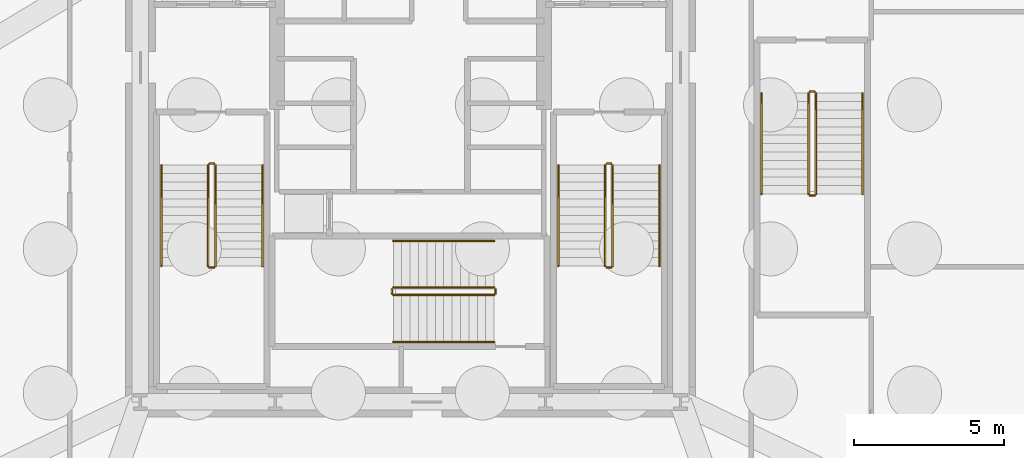
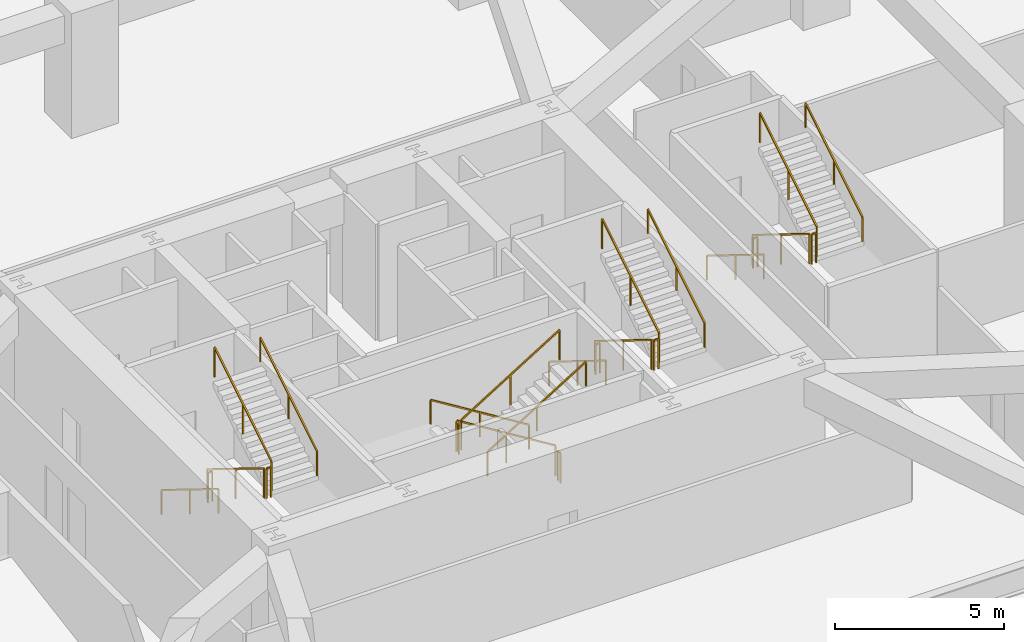
# One storey, part 7 of 8: 24 railings.
"""IFC4 building model written with IfcOpenShell, lengths in metres."""

from ifc_helpers import new_model, si_unit, direction, frame, origin, origin_2d, place, context, subcontext, project, spatial, rectangle, extrude, material, layer, layer_set, type_object, element, save


model = new_model("IFC4")

# Units and contexts
model_context = context("Model", 3, precision=1e-05, world=origin(), true_north=direction((0.0, 1.0)))
body_context = subcontext(model_context, "Body", "Model", "MODEL_VIEW")
ifc_project = project(units=[si_unit("LENGTHUNIT", "METRE"), si_unit("AREAUNIT", "SQUARE_METRE"), si_unit("VOLUMEUNIT", "CUBIC_METRE"), si_unit("PLANEANGLEUNIT", "RADIAN"), si_unit("MASSUNIT", "GRAM", prefix="KILO")], contexts=[model_context])

# Site, building, storey
site_placement = place(None, origin())
site = spatial("IfcSite", under=ifc_project, at=site_placement, CompositionType="ELEMENT")
building_placement = place(site_placement, origin())
building = spatial("IfcBuilding", under=site, at=building_placement, Name="Kilnhurst Terrace Hotel", CompositionType="ELEMENT")
storey_placement = place(building_placement, frame((0.0, 0.0, -9.0)))
storey = spatial("IfcBuildingStorey", under=building, at=storey_placement, Name="B2", CompositionType="ELEMENT", Elevation=-9.0)

# Railings
ifc_material_1 = material(Name="Powder-Coated Steel ASTM A500 Grade B", Category="steel")
ifc_layer_1 = layer(ifc_material_1, 0.050048828125, Name="Powder-Coated Steel ASTM A500 Grade B")
ifc_layer_set_1 = layer_set([ifc_layer_1], Name="Powder-Coated Steel ASTM A500 Grade B")
railing_type_1 = type_object("IfcRailingType", Name="RLG-ST-GRD-1100", PredefinedType="GUARDRAIL", material=ifc_layer_set_1)
railing_1_placement = place(storey_placement, frame((-6.739990234375, 0.389892578125, 0.173095703125)))
element("IfcRailing", 1, at=railing_1_placement, inside=storey, type_object=railing_type_1, Name="B2 ST-1 stair guard 1", PredefinedType="GUARDRAIL", context=body_context, shape_type="SweptSolid", body=[
    extrude(rectangle(XDim=0.048095703125, YDim=0.048095703125, at=origin_2d()), frame((0.0, 0.0, 1.076171875), z_axis=(0.0, -0.850606129759, 0.525803396734), x_axis=(1.0, 0.0, 0.0)), (0.0, 0.0, 1.0), 3.949951171875),
    extrude(rectangle(XDim=0.0419921875, YDim=0.0419921875, at=origin_2d()), origin(), (0.0, 0.0, 1.0), 1.052001953125),
    extrude(rectangle(XDim=0.0419921875, YDim=0.0419921875, at=origin_2d()), frame((0.0, -1.679931640625, 1.03857421875)), (0.0, 0.0, 1.0), 1.052001953125),
    extrude(rectangle(XDim=0.0419921875, YDim=0.0419921875, at=origin_2d()), frame((0.0, -3.35986328125, 2.076904296875)), (0.0, 0.0, 1.0), 1.052001953125),
])
railing_2_placement = place(storey_placement, frame((-6.68994140625, -3.02001953125, 2.25)))
element("IfcRailing", 2, at=railing_2_placement, inside=storey, type_object=railing_type_1, Name="B2 ST-1 stair guard 2", PredefinedType="GUARDRAIL", context=body_context, shape_type="SweptSolid", body=[
    extrude(rectangle(XDim=0.048095703125, YDim=0.048095703125, at=origin_2d()), frame((0.0, 0.0, 1.076171875), z_axis=(1.0, 0.0, 0.0), x_axis=(0.0, 1.0, 0.0)), (0.0, 0.0, 1.0), 0.14990234375),
    extrude(rectangle(XDim=0.0419921875, YDim=0.0419921875, at=origin_2d()), origin(), (0.0, 0.0, 1.0), 1.052001953125),
    extrude(rectangle(XDim=0.0419921875, YDim=0.0419921875, at=origin_2d()), frame((0.14990234375, 0.0, 0.0)), (0.0, 0.0, 1.0), 1.052001953125),
])
railing_3_placement = place(storey_placement, frame((-6.489990234375, -2.969970703125, 2.423095703125)))
element("IfcRailing", 3, at=railing_3_placement, inside=storey, type_object=railing_type_1, Name="B2 ST-1 stair guard 3", PredefinedType="GUARDRAIL", context=body_context, shape_type="SweptSolid", body=[
    extrude(rectangle(XDim=0.048095703125, YDim=0.048095703125, at=origin_2d()), frame((0.0, 0.0, 1.076171875), z_axis=(0.0, 0.850606129759, 0.525803396734), x_axis=(-1.0, 0.0, 0.0)), (0.0, 0.0, 1.0), 3.949951171875),
    extrude(rectangle(XDim=0.0419921875, YDim=0.0419921875, at=origin_2d()), origin(), (0.0, 0.0, 1.0), 1.052001953125),
    extrude(rectangle(XDim=0.0419921875, YDim=0.0419921875, at=origin_2d()), frame((0.0, 1.679931640625, 1.03857421875)), (0.0, 0.0, 1.0), 1.052001953125),
    extrude(rectangle(XDim=0.0419921875, YDim=0.0419921875, at=origin_2d()), frame((0.0, 3.35986328125, 2.076904296875)), (0.0, 0.0, 1.0), 1.052001953125),
])
railing_4_placement = place(storey_placement, frame((-6.68994140625, 0.43994140625, 0.0)))
element("IfcRailing", 4, at=railing_4_placement, inside=storey, type_object=railing_type_1, Name="B2 ST-1 stair guard 4", PredefinedType="GUARDRAIL", context=body_context, shape_type="SweptSolid", body=[
    extrude(rectangle(XDim=0.048095703125, YDim=0.048095703125, at=origin_2d()), frame((0.0, 0.0, 1.076171875), z_axis=(1.0, 0.0, 0.0), x_axis=(0.0, 1.0, 0.0)), (0.0, 0.0, 1.0), 0.14990234375),
    extrude(rectangle(XDim=0.0419921875, YDim=0.0419921875, at=origin_2d()), origin(), (0.0, 0.0, 1.0), 1.052001953125),
    extrude(rectangle(XDim=0.0419921875, YDim=0.0419921875, at=origin_2d()), frame((0.14990234375, 0.0, 0.0)), (0.0, 0.0, 1.0), 1.052001953125),
])
railing_5_placement = place(storey_placement, frame((6.489990234375, 0.389892578125, 0.173095703125)))
element("IfcRailing", 5, at=railing_5_placement, inside=storey, type_object=railing_type_1, Name="B2 ST-2 stair guard 1", PredefinedType="GUARDRAIL", context=body_context, shape_type="SweptSolid", body=[
    extrude(rectangle(XDim=0.048095703125, YDim=0.048095703125, at=origin_2d()), frame((0.0, 0.0, 1.076171875), z_axis=(0.0, -0.850606129759, 0.525803396734), x_axis=(1.0, 0.0, 0.0)), (0.0, 0.0, 1.0), 3.949951171875),
    extrude(rectangle(XDim=0.0419921875, YDim=0.0419921875, at=origin_2d()), origin(), (0.0, 0.0, 1.0), 1.052001953125),
    extrude(rectangle(XDim=0.0419921875, YDim=0.0419921875, at=origin_2d()), frame((0.0, -1.679931640625, 1.03857421875)), (0.0, 0.0, 1.0), 1.052001953125),
    extrude(rectangle(XDim=0.0419921875, YDim=0.0419921875, at=origin_2d()), frame((0.0, -3.35986328125, 2.076904296875)), (0.0, 0.0, 1.0), 1.052001953125),
])
railing_6_placement = place(storey_placement, frame((6.5400390625, -3.02001953125, 2.25)))
element("IfcRailing", 6, at=railing_6_placement, inside=storey, type_object=railing_type_1, Name="B2 ST-2 stair guard 2", PredefinedType="GUARDRAIL", context=body_context, shape_type="SweptSolid", body=[
    extrude(rectangle(XDim=0.048095703125, YDim=0.048095703125, at=origin_2d()), frame((0.0, 0.0, 1.076171875), z_axis=(1.0, 0.0, 0.0), x_axis=(0.0, 1.0, 0.0)), (0.0, 0.0, 1.0), 0.14990234375),
    extrude(rectangle(XDim=0.0419921875, YDim=0.0419921875, at=origin_2d()), origin(), (0.0, 0.0, 1.0), 1.052001953125),
    extrude(rectangle(XDim=0.0419921875, YDim=0.0419921875, at=origin_2d()), frame((0.14990234375, 0.0, 0.0)), (0.0, 0.0, 1.0), 1.052001953125),
])
railing_7_placement = place(storey_placement, frame((6.739990234375, -2.969970703125, 2.423095703125)))
element("IfcRailing", 7, at=railing_7_placement, inside=storey, type_object=railing_type_1, Name="B2 ST-2 stair guard 3", PredefinedType="GUARDRAIL", context=body_context, shape_type="SweptSolid", body=[
    extrude(rectangle(XDim=0.048095703125, YDim=0.048095703125, at=origin_2d()), frame((0.0, 0.0, 1.076171875), z_axis=(0.0, 0.850606129759, 0.525803396734), x_axis=(-1.0, 0.0, 0.0)), (0.0, 0.0, 1.0), 3.949951171875),
    extrude(rectangle(XDim=0.0419921875, YDim=0.0419921875, at=origin_2d()), origin(), (0.0, 0.0, 1.0), 1.052001953125),
    extrude(rectangle(XDim=0.0419921875, YDim=0.0419921875, at=origin_2d()), frame((0.0, 1.679931640625, 1.03857421875)), (0.0, 0.0, 1.0), 1.052001953125),
    extrude(rectangle(XDim=0.0419921875, YDim=0.0419921875, at=origin_2d()), frame((0.0, 3.35986328125, 2.076904296875)), (0.0, 0.0, 1.0), 1.052001953125),
])
railing_8_placement = place(storey_placement, frame((6.5400390625, 0.43994140625, 0.0)))
element("IfcRailing", 8, at=railing_8_placement, inside=storey, type_object=railing_type_1, Name="B2 ST-2 stair guard 4", PredefinedType="GUARDRAIL", context=body_context, shape_type="SweptSolid", body=[
    extrude(rectangle(XDim=0.048095703125, YDim=0.048095703125, at=origin_2d()), frame((0.0, 0.0, 1.076171875), z_axis=(1.0, 0.0, 0.0), x_axis=(0.0, 1.0, 0.0)), (0.0, 0.0, 1.0), 0.14990234375),
    extrude(rectangle(XDim=0.0419921875, YDim=0.0419921875, at=origin_2d()), origin(), (0.0, 0.0, 1.0), 1.052001953125),
    extrude(rectangle(XDim=0.0419921875, YDim=0.0419921875, at=origin_2d()), frame((0.14990234375, 0.0, 0.0)), (0.0, 0.0, 1.0), 1.052001953125),
])
railing_9_placement = place(storey_placement, frame((2.7900390625, -3.68994140625, 0.173095703125)))
element("IfcRailing", 9, at=railing_9_placement, inside=storey, type_object=railing_type_1, Name="B2 ST-3 stair guard 1", PredefinedType="GUARDRAIL", context=body_context, shape_type="SweptSolid", body=[
    extrude(rectangle(XDim=0.048095703125, YDim=0.048095703125, at=origin_2d()), frame((0.0, 0.0, 1.076171875), z_axis=(-0.850623216509, 0.0, 0.525775754039), x_axis=(0.0, -1.0, 0.0)), (0.0, 0.0, 1.0), 3.9501953125),
    extrude(rectangle(XDim=0.0419921875, YDim=0.0419921875, at=origin_2d()), origin(), (0.0, 0.0, 1.0), 1.052001953125),
    extrude(rectangle(XDim=0.0419921875, YDim=0.0419921875, at=origin_2d()), frame((-1.68017578125, 0.0, 1.03857421875)), (0.0, 0.0, 1.0), 1.052001953125),
    extrude(rectangle(XDim=0.0419921875, YDim=0.0419921875, at=origin_2d()), frame((-3.360107421875, 0.0, 2.076904296875)), (0.0, 0.0, 1.0), 1.052001953125),
])
railing_10_placement = place(storey_placement, frame((-0.6201171875, -3.739990234375, 2.25)))
element("IfcRailing", 10, at=railing_10_placement, inside=storey, type_object=railing_type_1, Name="B2 ST-3 stair guard 2", PredefinedType="GUARDRAIL", context=body_context, shape_type="SweptSolid", body=[
    extrude(rectangle(XDim=0.048095703125, YDim=0.048095703125, at=origin_2d()), frame((0.0, 0.0, 1.076171875), z_axis=(0.0, -1.0, 0.0), x_axis=(1.0, 0.0, 0.0)), (0.0, 0.0, 1.0), 0.14990234375),
    extrude(rectangle(XDim=0.0419921875, YDim=0.0419921875, at=origin_2d()), origin(), (0.0, 0.0, 1.0), 1.052001953125),
    extrude(rectangle(XDim=0.0419921875, YDim=0.0419921875, at=origin_2d()), frame((0.0, -0.14990234375, 0.0)), (0.0, 0.0, 1.0), 1.052001953125),
])
railing_11_placement = place(storey_placement, frame((-0.570068359375, -3.93994140625, 2.423095703125)))
element("IfcRailing", 11, at=railing_11_placement, inside=storey, type_object=railing_type_1, Name="B2 ST-3 stair guard 3", PredefinedType="GUARDRAIL", context=body_context, shape_type="SweptSolid", body=[
    extrude(rectangle(XDim=0.048095703125, YDim=0.048095703125, at=origin_2d()), frame((0.0, 0.0, 1.076171875), z_axis=(0.850623216509, 0.0, 0.525775754039), x_axis=(0.0, 1.0, 0.0)), (0.0, 0.0, 1.0), 3.9501953125),
    extrude(rectangle(XDim=0.0419921875, YDim=0.0419921875, at=origin_2d()), origin(), (0.0, 0.0, 1.0), 1.052001953125),
    extrude(rectangle(XDim=0.0419921875, YDim=0.0419921875, at=origin_2d()), frame((1.68017578125, 0.0, 1.03857421875)), (0.0, 0.0, 1.0), 1.052001953125),
    extrude(rectangle(XDim=0.0419921875, YDim=0.0419921875, at=origin_2d()), frame((3.360107421875, 0.0, 2.076904296875)), (0.0, 0.0, 1.0), 1.052001953125),
])
railing_12_placement = place(storey_placement, frame((2.840087890625, -3.739990234375, 0.0)))
element("IfcRailing", 12, at=railing_12_placement, inside=storey, type_object=railing_type_1, Name="B2 ST-3 stair guard 4", PredefinedType="GUARDRAIL", context=body_context, shape_type="SweptSolid", body=[
    extrude(rectangle(XDim=0.048095703125, YDim=0.048095703125, at=origin_2d()), frame((0.0, 0.0, 1.076171875), z_axis=(0.0, -1.0, 0.0), x_axis=(1.0, 0.0, 0.0)), (0.0, 0.0, 1.0), 0.14990234375),
    extrude(rectangle(XDim=0.0419921875, YDim=0.0419921875, at=origin_2d()), origin(), (0.0, 0.0, 1.0), 1.052001953125),
    extrude(rectangle(XDim=0.0419921875, YDim=0.0419921875, at=origin_2d()), frame((0.0, -0.14990234375, 0.0)), (0.0, 0.0, 1.0), 1.052001953125),
])
railing_13_placement = place(storey_placement, frame((13.260009765625, 2.7900390625, 0.173095703125)))
element("IfcRailing", 13, at=railing_13_placement, inside=storey, type_object=railing_type_1, Name="B2 ST-4 stair guard 1", PredefinedType="GUARDRAIL", context=body_context, shape_type="SweptSolid", body=[
    extrude(rectangle(XDim=0.048095703125, YDim=0.048095703125, at=origin_2d()), frame((0.0, 0.0, 1.076171875), z_axis=(0.0, -0.850623216509, 0.525775754039), x_axis=(1.0, 0.0, 0.0)), (0.0, 0.0, 1.0), 3.9501953125),
    extrude(rectangle(XDim=0.0419921875, YDim=0.0419921875, at=origin_2d()), origin(), (0.0, 0.0, 1.0), 1.052001953125),
    extrude(rectangle(XDim=0.0419921875, YDim=0.0419921875, at=origin_2d()), frame((0.0, -1.68017578125, 1.03857421875)), (0.0, 0.0, 1.0), 1.052001953125),
    extrude(rectangle(XDim=0.0419921875, YDim=0.0419921875, at=origin_2d()), frame((0.0, -3.360107421875, 2.076904296875)), (0.0, 0.0, 1.0), 1.052001953125),
])
railing_14_placement = place(storey_placement, frame((13.31005859375, -0.6201171875, 2.25)))
element("IfcRailing", 14, at=railing_14_placement, inside=storey, type_object=railing_type_1, Name="B2 ST-4 stair guard 2", PredefinedType="GUARDRAIL", context=body_context, shape_type="SweptSolid", body=[
    extrude(rectangle(XDim=0.048095703125, YDim=0.048095703125, at=origin_2d()), frame((0.0, 0.0, 1.076171875), z_axis=(1.0, 0.0, 0.0), x_axis=(0.0, 1.0, 0.0)), (0.0, 0.0, 1.0), 0.14990234375),
    extrude(rectangle(XDim=0.0419921875, YDim=0.0419921875, at=origin_2d()), origin(), (0.0, 0.0, 1.0), 1.052001953125),
    extrude(rectangle(XDim=0.0419921875, YDim=0.0419921875, at=origin_2d()), frame((0.14990234375, 0.0, 0.0)), (0.0, 0.0, 1.0), 1.052001953125),
])
railing_15_placement = place(storey_placement, frame((13.510009765625, -0.570068359375, 2.423095703125)))
element("IfcRailing", 15, at=railing_15_placement, inside=storey, type_object=railing_type_1, Name="B2 ST-4 stair guard 3", PredefinedType="GUARDRAIL", context=body_context, shape_type="SweptSolid", body=[
    extrude(rectangle(XDim=0.048095703125, YDim=0.048095703125, at=origin_2d()), frame((0.0, 0.0, 1.076171875), z_axis=(0.0, 0.850623216509, 0.525775754039), x_axis=(-1.0, 0.0, 0.0)), (0.0, 0.0, 1.0), 3.9501953125),
    extrude(rectangle(XDim=0.0419921875, YDim=0.0419921875, at=origin_2d()), origin(), (0.0, 0.0, 1.0), 1.052001953125),
    extrude(rectangle(XDim=0.0419921875, YDim=0.0419921875, at=origin_2d()), frame((0.0, 1.68017578125, 1.03857421875)), (0.0, 0.0, 1.0), 1.052001953125),
    extrude(rectangle(XDim=0.0419921875, YDim=0.0419921875, at=origin_2d()), frame((0.0, 3.360107421875, 2.076904296875)), (0.0, 0.0, 1.0), 1.052001953125),
])
railing_16_placement = place(storey_placement, frame((13.31005859375, 2.840087890625, 0.0)))
element("IfcRailing", 16, at=railing_16_placement, inside=storey, type_object=railing_type_1, Name="B2 ST-4 stair guard 4", PredefinedType="GUARDRAIL", context=body_context, shape_type="SweptSolid", body=[
    extrude(rectangle(XDim=0.048095703125, YDim=0.048095703125, at=origin_2d()), frame((0.0, 0.0, 1.076171875), z_axis=(1.0, 0.0, 0.0), x_axis=(0.0, 1.0, 0.0)), (0.0, 0.0, 1.0), 0.14990234375),
    extrude(rectangle(XDim=0.0419921875, YDim=0.0419921875, at=origin_2d()), origin(), (0.0, 0.0, 1.0), 1.052001953125),
    extrude(rectangle(XDim=0.0419921875, YDim=0.0419921875, at=origin_2d()), frame((0.14990234375, 0.0, 0.0)), (0.0, 0.0, 1.0), 1.052001953125),
])
ifc_material_2 = material(Name="Brushed Stainless Steel AISI 304", Category="steel")
ifc_layer_2 = layer(ifc_material_2, 0.048095703125, Name="Brushed Stainless Steel AISI 304")
ifc_layer_set_2 = layer_set([ifc_layer_2], Name="Brushed Stainless Steel AISI 304")
railing_type_2 = type_object("IfcRailingType", Name="RLG-ST-HRL-900", PredefinedType="HANDRAIL", material=ifc_layer_set_2)
railing_17_placement = place(storey_placement, frame((-8.300048828125, 0.389892578125, 0.173095703125)))
element("IfcRailing", 17, at=railing_17_placement, inside=storey, type_object=railing_type_2, Name="B2 ST-1 stair handrail 1", PredefinedType="HANDRAIL", context=body_context, shape_type="SweptSolid", body=[
    extrude(rectangle(XDim=0.048095703125, YDim=0.048095703125, at=origin_2d()), frame((0.0, 0.0, 0.8759765625), z_axis=(0.0, -0.850606129759, 0.525803396734), x_axis=(1.0, 0.0, 0.0)), (0.0, 0.0, 1.0), 3.949951171875),
    extrude(rectangle(XDim=0.0419921875, YDim=0.0419921875, at=origin_2d()), origin(), (0.0, 0.0, 1.0), 0.851806640625),
    extrude(rectangle(XDim=0.0419921875, YDim=0.0419921875, at=origin_2d()), frame((0.0, -1.679931640625, 1.03857421875)), (0.0, 0.0, 1.0), 0.851806640625),
    extrude(rectangle(XDim=0.0419921875, YDim=0.0419921875, at=origin_2d()), frame((0.0, -3.35986328125, 2.076904296875)), (0.0, 0.0, 1.0), 0.851806640625),
])
railing_18_placement = place(storey_placement, frame((-4.929931640625, -2.969970703125, 2.423095703125)))
element("IfcRailing", 18, at=railing_18_placement, inside=storey, type_object=railing_type_2, Name="B2 ST-1 stair handrail 2", PredefinedType="HANDRAIL", context=body_context, shape_type="SweptSolid", body=[
    extrude(rectangle(XDim=0.048095703125, YDim=0.048095703125, at=origin_2d()), frame((0.0, 0.0, 0.8759765625), z_axis=(0.0, 0.850606129759, 0.525803396734), x_axis=(-1.0, 0.0, 0.0)), (0.0, 0.0, 1.0), 3.949951171875),
    extrude(rectangle(XDim=0.0419921875, YDim=0.0419921875, at=origin_2d()), origin(), (0.0, 0.0, 1.0), 0.851806640625),
    extrude(rectangle(XDim=0.0419921875, YDim=0.0419921875, at=origin_2d()), frame((0.0, 1.679931640625, 1.03857421875)), (0.0, 0.0, 1.0), 0.851806640625),
    extrude(rectangle(XDim=0.0419921875, YDim=0.0419921875, at=origin_2d()), frame((0.0, 3.35986328125, 2.076904296875)), (0.0, 0.0, 1.0), 0.851806640625),
])
railing_19_placement = place(storey_placement, frame((4.929931640625, 0.389892578125, 0.173095703125)))
element("IfcRailing", 19, at=railing_19_placement, inside=storey, type_object=railing_type_2, Name="B2 ST-2 stair handrail 1", PredefinedType="HANDRAIL", context=body_context, shape_type="SweptSolid", body=[
    extrude(rectangle(XDim=0.048095703125, YDim=0.048095703125, at=origin_2d()), frame((0.0, 0.0, 0.8759765625), z_axis=(0.0, -0.850606129759, 0.525803396734), x_axis=(1.0, 0.0, 0.0)), (0.0, 0.0, 1.0), 3.949951171875),
    extrude(rectangle(XDim=0.0419921875, YDim=0.0419921875, at=origin_2d()), origin(), (0.0, 0.0, 1.0), 0.851806640625),
    extrude(rectangle(XDim=0.0419921875, YDim=0.0419921875, at=origin_2d()), frame((0.0, -1.679931640625, 1.03857421875)), (0.0, 0.0, 1.0), 0.851806640625),
    extrude(rectangle(XDim=0.0419921875, YDim=0.0419921875, at=origin_2d()), frame((0.0, -3.35986328125, 2.076904296875)), (0.0, 0.0, 1.0), 0.851806640625),
])
railing_20_placement = place(storey_placement, frame((8.300048828125, -2.969970703125, 2.423095703125)))
element("IfcRailing", 20, at=railing_20_placement, inside=storey, type_object=railing_type_2, Name="B2 ST-2 stair handrail 2", PredefinedType="HANDRAIL", context=body_context, shape_type="SweptSolid", body=[
    extrude(rectangle(XDim=0.048095703125, YDim=0.048095703125, at=origin_2d()), frame((0.0, 0.0, 0.8759765625), z_axis=(0.0, 0.850606129759, 0.525803396734), x_axis=(-1.0, 0.0, 0.0)), (0.0, 0.0, 1.0), 3.949951171875),
    extrude(rectangle(XDim=0.0419921875, YDim=0.0419921875, at=origin_2d()), origin(), (0.0, 0.0, 1.0), 0.851806640625),
    extrude(rectangle(XDim=0.0419921875, YDim=0.0419921875, at=origin_2d()), frame((0.0, 1.679931640625, 1.03857421875)), (0.0, 0.0, 1.0), 0.851806640625),
    extrude(rectangle(XDim=0.0419921875, YDim=0.0419921875, at=origin_2d()), frame((0.0, 3.35986328125, 2.076904296875)), (0.0, 0.0, 1.0), 0.851806640625),
])
railing_21_placement = place(storey_placement, frame((2.7900390625, -2.1298828125, 0.173095703125)))
element("IfcRailing", 21, at=railing_21_placement, inside=storey, type_object=railing_type_2, Name="B2 ST-3 stair handrail 1", PredefinedType="HANDRAIL", context=body_context, shape_type="SweptSolid", body=[
    extrude(rectangle(XDim=0.048095703125, YDim=0.048095703125, at=origin_2d()), frame((0.0, 0.0, 0.8759765625), z_axis=(-0.850623216509, 0.0, 0.525775754039), x_axis=(0.0, -1.0, 0.0)), (0.0, 0.0, 1.0), 3.9501953125),
    extrude(rectangle(XDim=0.0419921875, YDim=0.0419921875, at=origin_2d()), origin(), (0.0, 0.0, 1.0), 0.851806640625),
    extrude(rectangle(XDim=0.0419921875, YDim=0.0419921875, at=origin_2d()), frame((-1.68017578125, 0.0, 1.03857421875)), (0.0, 0.0, 1.0), 0.851806640625),
    extrude(rectangle(XDim=0.0419921875, YDim=0.0419921875, at=origin_2d()), frame((-3.360107421875, 0.0, 2.076904296875)), (0.0, 0.0, 1.0), 0.851806640625),
])
railing_22_placement = place(storey_placement, frame((-0.570068359375, -5.5, 2.423095703125)))
element("IfcRailing", 22, at=railing_22_placement, inside=storey, type_object=railing_type_2, Name="B2 ST-3 stair handrail 2", PredefinedType="HANDRAIL", context=body_context, shape_type="SweptSolid", body=[
    extrude(rectangle(XDim=0.048095703125, YDim=0.048095703125, at=origin_2d()), frame((0.0, 0.0, 0.8759765625), z_axis=(0.850623216509, 0.0, 0.525775754039), x_axis=(0.0, 1.0, 0.0)), (0.0, 0.0, 1.0), 3.9501953125),
    extrude(rectangle(XDim=0.0419921875, YDim=0.0419921875, at=origin_2d()), origin(), (0.0, 0.0, 1.0), 0.851806640625),
    extrude(rectangle(XDim=0.0419921875, YDim=0.0419921875, at=origin_2d()), frame((1.68017578125, 0.0, 1.03857421875)), (0.0, 0.0, 1.0), 0.851806640625),
    extrude(rectangle(XDim=0.0419921875, YDim=0.0419921875, at=origin_2d()), frame((3.360107421875, 0.0, 2.076904296875)), (0.0, 0.0, 1.0), 0.851806640625),
])
railing_23_placement = place(storey_placement, frame((11.699951171875, 2.7900390625, 0.173095703125)))
element("IfcRailing", 23, at=railing_23_placement, inside=storey, type_object=railing_type_2, Name="B2 ST-4 stair handrail 1", PredefinedType="HANDRAIL", context=body_context, shape_type="SweptSolid", body=[
    extrude(rectangle(XDim=0.048095703125, YDim=0.048095703125, at=origin_2d()), frame((0.0, 0.0, 0.8759765625), z_axis=(0.0, -0.850623216509, 0.525775754039), x_axis=(1.0, 0.0, 0.0)), (0.0, 0.0, 1.0), 3.9501953125),
    extrude(rectangle(XDim=0.0419921875, YDim=0.0419921875, at=origin_2d()), origin(), (0.0, 0.0, 1.0), 0.851806640625),
    extrude(rectangle(XDim=0.0419921875, YDim=0.0419921875, at=origin_2d()), frame((0.0, -1.68017578125, 1.03857421875)), (0.0, 0.0, 1.0), 0.851806640625),
    extrude(rectangle(XDim=0.0419921875, YDim=0.0419921875, at=origin_2d()), frame((0.0, -3.360107421875, 2.076904296875)), (0.0, 0.0, 1.0), 0.851806640625),
])
railing_24_placement = place(storey_placement, frame((15.070068359375, -0.570068359375, 2.423095703125)))
element("IfcRailing", 24, at=railing_24_placement, inside=storey, type_object=railing_type_2, Name="B2 ST-4 stair handrail 2", PredefinedType="HANDRAIL", context=body_context, shape_type="SweptSolid", body=[
    extrude(rectangle(XDim=0.048095703125, YDim=0.048095703125, at=origin_2d()), frame((0.0, 0.0, 0.8759765625), z_axis=(0.0, 0.850623216509, 0.525775754039), x_axis=(-1.0, 0.0, 0.0)), (0.0, 0.0, 1.0), 3.9501953125),
    extrude(rectangle(XDim=0.0419921875, YDim=0.0419921875, at=origin_2d()), origin(), (0.0, 0.0, 1.0), 0.851806640625),
    extrude(rectangle(XDim=0.0419921875, YDim=0.0419921875, at=origin_2d()), frame((0.0, 1.68017578125, 1.03857421875)), (0.0, 0.0, 1.0), 0.851806640625),
    extrude(rectangle(XDim=0.0419921875, YDim=0.0419921875, at=origin_2d()), frame((0.0, 3.360107421875, 2.076904296875)), (0.0, 0.0, 1.0), 0.851806640625),
])

save(model, "model.ifc")
